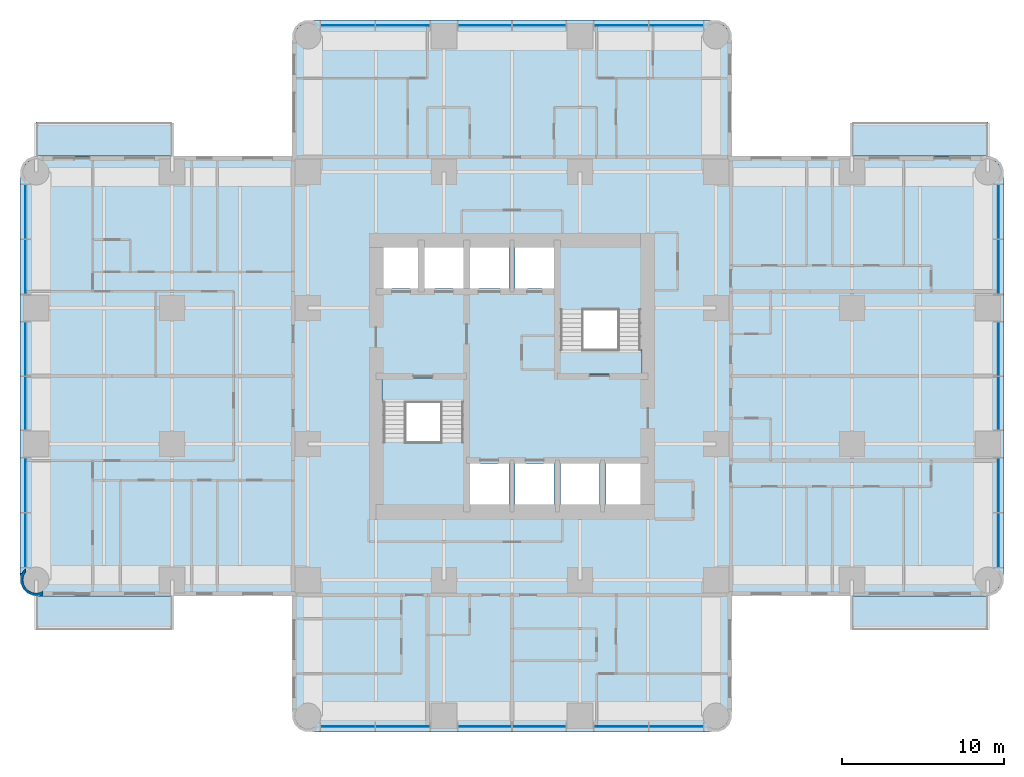
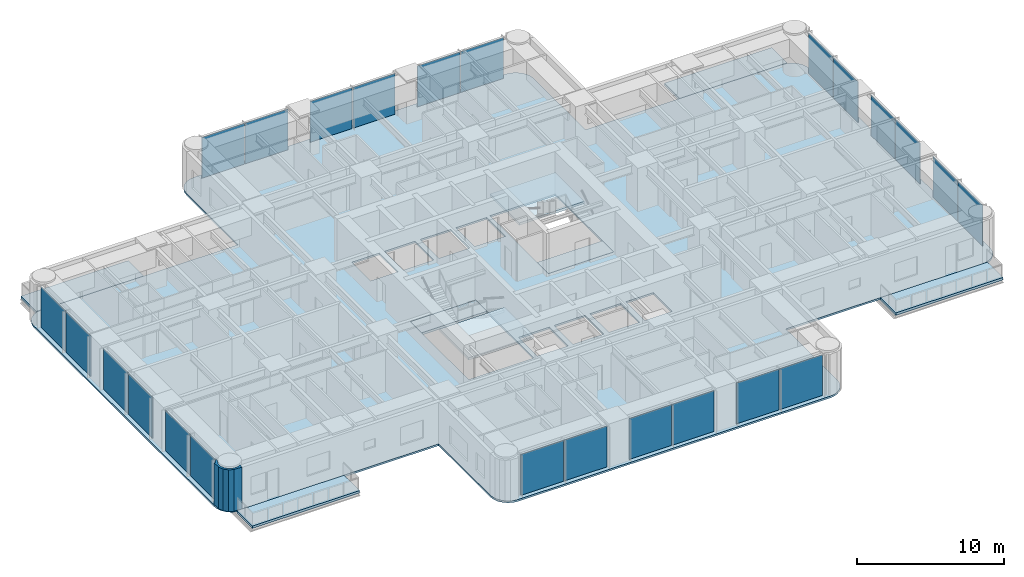
# One storey, part 5 of 14: 24 plates, 9 slabs, 1 wall, 6 elements without a shape of their own.
"""IFC4 building model written with IfcOpenShell, lengths in metres."""

from ifc_helpers import new_model, si_unit, direction, frame, origin, origin_2d, place, context, subcontext, project, spatial, polyline, rectangle, outline, extrude, material, layer, layer_set, type_object, element, aggregate, save


model = new_model("IFC4")

# Units and contexts
model_context = context("Model", 3, precision=1e-05, world=origin(), true_north=direction((0.0, 1.0)))
body_context = subcontext(model_context, "Body", "Model", "MODEL_VIEW")
ifc_project = project(units=[si_unit("LENGTHUNIT", "METRE"), si_unit("AREAUNIT", "SQUARE_METRE"), si_unit("VOLUMEUNIT", "CUBIC_METRE"), si_unit("PLANEANGLEUNIT", "RADIAN"), si_unit("MASSUNIT", "GRAM", prefix="KILO")], contexts=[model_context])

# Site, building, storey
site_placement = place(None, origin())
site = spatial("IfcSite", under=ifc_project, at=site_placement, CompositionType="ELEMENT")
building_placement = place(site_placement, origin())
building = spatial("IfcBuilding", under=site, at=building_placement, Name="Torre Alcanfor", CompositionType="ELEMENT")
storey_placement = place(building_placement, frame((0.0, 0.0, 166.5)))
storey = spatial("IfcBuildingStorey", under=building, at=storey_placement, Name="L43", CompositionType="ELEMENT", Elevation=166.5)

# Slabs
ifc_material_1 = material(Name="Concrete f'c 35 MPa", Category="concrete")
ifc_layer_1 = layer(ifc_material_1, 0.199951171875)
ifc_layer_set_1 = layer_set([ifc_layer_1], Name="Balcony slab 200")
slab_type_1 = type_object("IfcSlabType", Name="Balcony slab 200", PredefinedType="FLOOR", material=ifc_layer_set_1)
slab_1_placement = place(storey_placement, frame((0.0, 0.0, -0.199951171875)))
element("IfcSlab", 1, at=slab_1_placement, inside=storey, type_object=slab_type_1, Name="Balcony L43-E1", PredefinedType="FLOOR", context=body_context, shape_type="SweptSolid", body=[
    extrude(outline(polyline([(50.39990234375, 43.0), (58.800048828125, 43.0), (58.800048828125, 45.10009765625), (50.39990234375, 45.10009765625), (50.39990234375, 43.0)])), origin(), (0.0, 0.0, 1.0), 0.199951171875),
])
slab_2_placement = place(storey_placement, frame((0.0, 0.0, -0.199951171875)))
element("IfcSlab", 2, at=slab_2_placement, inside=storey, type_object=slab_type_1, Name="Balcony L43-E2", PredefinedType="FLOOR", context=body_context, shape_type="SweptSolid", body=[
    extrude(outline(polyline([(50.39990234375, 13.699951171875), (58.800048828125, 13.699951171875), (58.800048828125, 15.800048828125), (50.39990234375, 15.800048828125), (50.39990234375, 13.699951171875)])), origin(), (0.0, 0.0, 1.0), 0.199951171875),
])
slab_3_placement = place(storey_placement, frame((0.0, 0.0, -0.199951171875)))
element("IfcSlab", 3, at=slab_3_placement, inside=storey, type_object=slab_type_1, Name="Balcony L43-W1", PredefinedType="FLOOR", context=body_context, shape_type="SweptSolid", body=[
    extrude(outline(polyline([(8.39990234375, 15.800048828125), (0.0, 15.800048828125), (0.0, 13.699951171875), (8.39990234375, 13.699951171875), (8.39990234375, 15.800048828125)])), origin(), (0.0, 0.0, 1.0), 0.199951171875),
])
slab_4_placement = place(storey_placement, frame((0.0, 0.0, -0.199951171875)))
element("IfcSlab", 4, at=slab_4_placement, inside=storey, type_object=slab_type_1, Name="Balcony L43-W2", PredefinedType="FLOOR", context=body_context, shape_type="SweptSolid", body=[
    extrude(outline(polyline([(8.39990234375, 45.10009765625), (0.0, 45.10009765625), (0.0, 43.0), (8.39990234375, 43.0), (8.39990234375, 45.10009765625)])), origin(), (0.0, 0.0, 1.0), 0.199951171875),
])

# Curtain wall, plates
ifc_material_2 = material(Name="Aluminium and glass", Category="aluminium")
curtain_wall_type = type_object("IfcCurtainWallType", Name="CW-A unitised apartment glazing with vertical FIN", PredefinedType="NOTDEFINED", material=ifc_material_2)
curtain_wall_1_placement = place(storey_placement, origin())
curtain_wall_1 = element("IfcCurtainWall", 5, at=curtain_wall_1_placement, inside=storey, type_object=curtain_wall_type, Name="Curtain wall CW-A L43 2", PredefinedType="NOTDEFINED")
ifc_material_3 = material(Name="Glass", Category="glass")
ifc_layer_2 = layer(ifc_material_3, 0.028076171875)
ifc_layer_set_2 = layer_set([ifc_layer_2], Name="CW-A clear double glazed unit")
plate_type = type_object("IfcPlateType", Name="CW-A clear double glazed unit", PredefinedType="CURTAIN_PANEL", material=ifc_layer_set_2)
plate_1_placement = place(storey_placement, frame((-0.64990234375, 39.541259765625, 0.0), z_axis=(0.0, 0.0, 1.0), x_axis=(0.0, -1.0, 0.0)))
plate_1 = element("IfcPlate", 6, at=plate_1_placement, type_object=plate_type, Name="CW-A panel 1.1.1", PredefinedType="CURTAIN_PANEL", context=body_context, shape_type="SweptSolid", body=[
    extrude(rectangle(XDim=3.337646484375, YDim=0.028076171875, at=origin_2d()), origin(), (0.0, 0.0, 1.0), 3.385009765625),
])
plate_2_placement = place(storey_placement, frame((-0.64990234375, 36.138671875, 0.0), z_axis=(0.0, 0.0, 1.0), x_axis=(0.0, -1.0, 0.0)))
plate_2 = element("IfcPlate", 7, at=plate_2_placement, type_object=plate_type, Name="CW-A panel 1.2.1", PredefinedType="CURTAIN_PANEL", context=body_context, shape_type="SweptSolid", body=[
    extrude(rectangle(XDim=3.337646484375, YDim=0.028076171875, at=origin_2d()), origin(), (0.0, 0.0, 1.0), 3.385009765625),
])
plate_3_placement = place(storey_placement, frame((-0.64990234375, 31.081298828125, 0.0), z_axis=(0.0, 0.0, 1.0), x_axis=(0.0, -1.0, 0.0)))
plate_3 = element("IfcPlate", 8, at=plate_3_placement, type_object=plate_type, Name="CW-A panel 2.1.1", PredefinedType="CURTAIN_PANEL", context=body_context, shape_type="SweptSolid", body=[
    extrude(rectangle(XDim=3.297607421875, YDim=0.028076171875, at=origin_2d()), origin(), (0.0, 0.0, 1.0), 3.385009765625),
])
plate_4_placement = place(storey_placement, frame((-0.64990234375, 27.71875, 0.0), z_axis=(0.0, 0.0, 1.0), x_axis=(0.0, -1.0, 0.0)))
plate_4 = element("IfcPlate", 9, at=plate_4_placement, type_object=plate_type, Name="CW-A panel 2.2.1", PredefinedType="CURTAIN_PANEL", context=body_context, shape_type="SweptSolid", body=[
    extrude(rectangle(XDim=3.297607421875, YDim=0.028076171875, at=origin_2d()), origin(), (0.0, 0.0, 1.0), 3.385009765625),
])
plate_5_placement = place(storey_placement, frame((-0.64990234375, 22.6611328125, 0.0), z_axis=(0.0, 0.0, 1.0), x_axis=(0.0, -1.0, 0.0)))
plate_5 = element("IfcPlate", 10, at=plate_5_placement, type_object=plate_type, Name="CW-A panel 3.1.1", PredefinedType="CURTAIN_PANEL", context=body_context, shape_type="SweptSolid", body=[
    extrude(rectangle(XDim=3.337646484375, YDim=0.028076171875, at=origin_2d()), origin(), (0.0, 0.0, 1.0), 3.385009765625),
])
plate_6_placement = place(storey_placement, frame((-0.64990234375, 19.2587890625, 0.0), z_axis=(0.0, 0.0, 1.0), x_axis=(0.0, -1.0, 0.0)))
plate_6 = element("IfcPlate", 11, at=plate_6_placement, type_object=plate_type, Name="CW-A panel 3.2.1", PredefinedType="CURTAIN_PANEL", context=body_context, shape_type="SweptSolid", body=[
    extrude(rectangle(XDim=3.337646484375, YDim=0.028076171875, at=origin_2d()), origin(), (0.0, 0.0, 1.0), 3.385009765625),
])
aggregate(curtain_wall_1, [plate_1, plate_2, plate_3, plate_4, plate_5, plate_6])

curtain_wall_2_placement = place(storey_placement, origin())
curtain_wall_2 = element("IfcCurtainWall", 12, at=curtain_wall_2_placement, inside=storey, type_object=curtain_wall_type, Name="Curtain wall CW-A L43 5", PredefinedType="NOTDEFINED")
plate_7_placement = place(storey_placement, frame((19.2587890625, 7.75, 0.0), z_axis=(0.0, 0.0, 1.0), x_axis=(1.0, 0.0, 0.0)))
plate_7 = element("IfcPlate", 13, at=plate_7_placement, type_object=plate_type, Name="CW-A panel 1.1.1", PredefinedType="CURTAIN_PANEL", context=body_context, shape_type="SweptSolid", body=[
    extrude(rectangle(XDim=3.337646484375, YDim=0.028076171875, at=origin_2d()), origin(), (0.0, 0.0, 1.0), 3.385009765625),
])
plate_8_placement = place(storey_placement, frame((22.6611328125, 7.75, 0.0), z_axis=(0.0, 0.0, 1.0), x_axis=(1.0, 0.0, 0.0)))
plate_8 = element("IfcPlate", 14, at=plate_8_placement, type_object=plate_type, Name="CW-A panel 1.2.1", PredefinedType="CURTAIN_PANEL", context=body_context, shape_type="SweptSolid", body=[
    extrude(rectangle(XDim=3.337646484375, YDim=0.028076171875, at=origin_2d()), origin(), (0.0, 0.0, 1.0), 3.385009765625),
])
plate_9_placement = place(storey_placement, frame((27.71875, 7.75, 0.0), z_axis=(0.0, 0.0, 1.0), x_axis=(1.0, 0.0, 0.0)))
plate_9 = element("IfcPlate", 15, at=plate_9_placement, type_object=plate_type, Name="CW-A panel 2.1.1", PredefinedType="CURTAIN_PANEL", context=body_context, shape_type="SweptSolid", body=[
    extrude(rectangle(XDim=3.297607421875, YDim=0.028076171875, at=origin_2d()), origin(), (0.0, 0.0, 1.0), 3.385009765625),
])
plate_10_placement = place(storey_placement, frame((31.081298828125, 7.75, 0.0), z_axis=(0.0, 0.0, 1.0), x_axis=(1.0, 0.0, 0.0)))
plate_10 = element("IfcPlate", 16, at=plate_10_placement, type_object=plate_type, Name="CW-A panel 2.2.1", PredefinedType="CURTAIN_PANEL", context=body_context, shape_type="SweptSolid", body=[
    extrude(rectangle(XDim=3.297607421875, YDim=0.028076171875, at=origin_2d()), origin(), (0.0, 0.0, 1.0), 3.385009765625),
])
plate_11_placement = place(storey_placement, frame((36.138671875, 7.75, 0.0), z_axis=(0.0, 0.0, 1.0), x_axis=(1.0, 0.0, 0.0)))
plate_11 = element("IfcPlate", 17, at=plate_11_placement, type_object=plate_type, Name="CW-A panel 3.1.1", PredefinedType="CURTAIN_PANEL", context=body_context, shape_type="SweptSolid", body=[
    extrude(rectangle(XDim=3.337646484375, YDim=0.028076171875, at=origin_2d()), origin(), (0.0, 0.0, 1.0), 3.385009765625),
])
plate_12_placement = place(storey_placement, frame((39.541259765625, 7.75, 0.0), z_axis=(0.0, 0.0, 1.0), x_axis=(1.0, 0.0, 0.0)))
plate_12 = element("IfcPlate", 18, at=plate_12_placement, type_object=plate_type, Name="CW-A panel 3.2.1", PredefinedType="CURTAIN_PANEL", context=body_context, shape_type="SweptSolid", body=[
    extrude(rectangle(XDim=3.337646484375, YDim=0.028076171875, at=origin_2d()), origin(), (0.0, 0.0, 1.0), 3.385009765625),
])
aggregate(curtain_wall_2, [plate_7, plate_8, plate_9, plate_10, plate_11, plate_12])

curtain_wall_3_placement = place(storey_placement, origin())
curtain_wall_3 = element("IfcCurtainWall", 19, at=curtain_wall_3_placement, inside=storey, type_object=curtain_wall_type, Name="Curtain wall CW-A L43 8", PredefinedType="NOTDEFINED")
plate_13_placement = place(storey_placement, frame((59.449951171875, 19.2587890625, 0.0), z_axis=(0.0, 0.0, 1.0), x_axis=(0.0, 1.0, 0.0)))
plate_13 = element("IfcPlate", 20, at=plate_13_placement, type_object=plate_type, Name="CW-A panel 1.1.1", PredefinedType="CURTAIN_PANEL", context=body_context, shape_type="SweptSolid", body=[
    extrude(rectangle(XDim=3.337646484375, YDim=0.028076171875, at=origin_2d()), origin(), (0.0, 0.0, 1.0), 3.385009765625),
])
plate_14_placement = place(storey_placement, frame((59.449951171875, 22.6611328125, 0.0), z_axis=(0.0, 0.0, 1.0), x_axis=(0.0, 1.0, 0.0)))
plate_14 = element("IfcPlate", 21, at=plate_14_placement, type_object=plate_type, Name="CW-A panel 1.2.1", PredefinedType="CURTAIN_PANEL", context=body_context, shape_type="SweptSolid", body=[
    extrude(rectangle(XDim=3.337646484375, YDim=0.028076171875, at=origin_2d()), origin(), (0.0, 0.0, 1.0), 3.385009765625),
])
plate_15_placement = place(storey_placement, frame((59.449951171875, 27.71875, 0.0), z_axis=(0.0, 0.0, 1.0), x_axis=(0.0, 1.0, 0.0)))
plate_15 = element("IfcPlate", 22, at=plate_15_placement, type_object=plate_type, Name="CW-A panel 2.1.1", PredefinedType="CURTAIN_PANEL", context=body_context, shape_type="SweptSolid", body=[
    extrude(rectangle(XDim=3.297607421875, YDim=0.028076171875, at=origin_2d()), origin(), (0.0, 0.0, 1.0), 3.385009765625),
])
plate_16_placement = place(storey_placement, frame((59.449951171875, 31.081298828125, 0.0), z_axis=(0.0, 0.0, 1.0), x_axis=(0.0, 1.0, 0.0)))
plate_16 = element("IfcPlate", 23, at=plate_16_placement, type_object=plate_type, Name="CW-A panel 2.2.1", PredefinedType="CURTAIN_PANEL", context=body_context, shape_type="SweptSolid", body=[
    extrude(rectangle(XDim=3.297607421875, YDim=0.028076171875, at=origin_2d()), origin(), (0.0, 0.0, 1.0), 3.385009765625),
])
plate_17_placement = place(storey_placement, frame((59.449951171875, 36.138671875, 0.0), z_axis=(0.0, 0.0, 1.0), x_axis=(0.0, 1.0, 0.0)))
plate_17 = element("IfcPlate", 24, at=plate_17_placement, type_object=plate_type, Name="CW-A panel 3.1.1", PredefinedType="CURTAIN_PANEL", context=body_context, shape_type="SweptSolid", body=[
    extrude(rectangle(XDim=3.337646484375, YDim=0.028076171875, at=origin_2d()), origin(), (0.0, 0.0, 1.0), 3.385009765625),
])
plate_18_placement = place(storey_placement, frame((59.449951171875, 39.541259765625, 0.0), z_axis=(0.0, 0.0, 1.0), x_axis=(0.0, 1.0, 0.0)))
plate_18 = element("IfcPlate", 25, at=plate_18_placement, type_object=plate_type, Name="CW-A panel 3.2.1", PredefinedType="CURTAIN_PANEL", context=body_context, shape_type="SweptSolid", body=[
    extrude(rectangle(XDim=3.337646484375, YDim=0.028076171875, at=origin_2d()), origin(), (0.0, 0.0, 1.0), 3.385009765625),
])
aggregate(curtain_wall_3, [plate_13, plate_14, plate_15, plate_16, plate_17, plate_18])

curtain_wall_4_placement = place(storey_placement, origin())
curtain_wall_4 = element("IfcCurtainWall", 26, at=curtain_wall_4_placement, inside=storey, type_object=curtain_wall_type, Name="Curtain wall CW-A L43 11", PredefinedType="NOTDEFINED")
plate_19_placement = place(storey_placement, frame((39.541259765625, 51.050048828125, 0.0), z_axis=(0.0, 0.0, 1.0), x_axis=(-1.0, 0.0, 0.0)))
plate_19 = element("IfcPlate", 27, at=plate_19_placement, type_object=plate_type, Name="CW-A panel 1.1.1", PredefinedType="CURTAIN_PANEL", context=body_context, shape_type="SweptSolid", body=[
    extrude(rectangle(XDim=3.337646484375, YDim=0.028076171875, at=origin_2d()), origin(), (0.0, 0.0, 1.0), 3.385009765625),
])
plate_20_placement = place(storey_placement, frame((36.138671875, 51.050048828125, 0.0), z_axis=(0.0, 0.0, 1.0), x_axis=(-1.0, 0.0, 0.0)))
plate_20 = element("IfcPlate", 28, at=plate_20_placement, type_object=plate_type, Name="CW-A panel 1.2.1", PredefinedType="CURTAIN_PANEL", context=body_context, shape_type="SweptSolid", body=[
    extrude(rectangle(XDim=3.337646484375, YDim=0.028076171875, at=origin_2d()), origin(), (0.0, 0.0, 1.0), 3.385009765625),
])
plate_21_placement = place(storey_placement, frame((31.081298828125, 51.050048828125, 0.0), z_axis=(0.0, 0.0, 1.0), x_axis=(-1.0, 0.0, 0.0)))
plate_21 = element("IfcPlate", 29, at=plate_21_placement, type_object=plate_type, Name="CW-A panel 2.1.1", PredefinedType="CURTAIN_PANEL", context=body_context, shape_type="SweptSolid", body=[
    extrude(rectangle(XDim=3.297607421875, YDim=0.028076171875, at=origin_2d()), origin(), (0.0, 0.0, 1.0), 3.385009765625),
])
plate_22_placement = place(storey_placement, frame((27.71875, 51.050048828125, 0.0), z_axis=(0.0, 0.0, 1.0), x_axis=(-1.0, 0.0, 0.0)))
plate_22 = element("IfcPlate", 30, at=plate_22_placement, type_object=plate_type, Name="CW-A panel 2.2.1", PredefinedType="CURTAIN_PANEL", context=body_context, shape_type="SweptSolid", body=[
    extrude(rectangle(XDim=3.297607421875, YDim=0.028076171875, at=origin_2d()), origin(), (0.0, 0.0, 1.0), 3.385009765625),
])
plate_23_placement = place(storey_placement, frame((22.6611328125, 51.050048828125, 0.0), z_axis=(0.0, 0.0, 1.0), x_axis=(-1.0, 0.0, 0.0)))
plate_23 = element("IfcPlate", 31, at=plate_23_placement, type_object=plate_type, Name="CW-A panel 3.1.1", PredefinedType="CURTAIN_PANEL", context=body_context, shape_type="SweptSolid", body=[
    extrude(rectangle(XDim=3.337646484375, YDim=0.028076171875, at=origin_2d()), origin(), (0.0, 0.0, 1.0), 3.385009765625),
])
plate_24_placement = place(storey_placement, frame((19.2587890625, 51.050048828125, 0.0), z_axis=(0.0, 0.0, 1.0), x_axis=(-1.0, 0.0, 0.0)))
plate_24 = element("IfcPlate", 32, at=plate_24_placement, type_object=plate_type, Name="CW-A panel 3.2.1", PredefinedType="CURTAIN_PANEL", context=body_context, shape_type="SweptSolid", body=[
    extrude(rectangle(XDim=3.337646484375, YDim=0.028076171875, at=origin_2d()), origin(), (0.0, 0.0, 1.0), 3.385009765625),
])
aggregate(curtain_wall_4, [plate_19, plate_20, plate_21, plate_22, plate_23, plate_24])

# Slab
ifc_material_4 = material(Name="Concrete f'c 35 MPa", Category="concrete")
ifc_layer_3 = layer(ifc_material_4, 0.14990234375)
ifc_layer_set_3 = layer_set([ifc_layer_3], Name="Composite floor 150 on metal deck")
slab_type_2 = type_object("IfcSlabType", Name="Composite floor 150 on metal deck", PredefinedType="FLOOR", material=ifc_layer_set_3)
slab_5_placement = place(storey_placement, frame((0.0, 0.0, -0.14990234375)))
element("IfcSlab", 33, at=slab_5_placement, inside=storey, type_object=slab_type_2, Name="Floor slab L43", PredefinedType="FLOOR", context=body_context, shape_type="SweptSolid", body=[
    extrude(outline(polyline([(15.800048828125, 43.0), (0.39990234375, 43.0), (0.03759765625, 42.952392578125), (-0.300048828125, 42.8125), (-0.58984375, 42.58984375), (-0.8125, 42.300048828125), (-0.952392578125, 41.96240234375), (-1.0, 41.60009765625), (-1.0, 17.199951171875), (-0.952392578125, 16.837646484375), (-0.8125, 16.5), (-0.58984375, 16.210205078125), (-0.300048828125, 15.987548828125), (0.03759765625, 15.84765625), (0.39990234375, 15.800048828125), (15.800048828125, 15.800048828125), (15.800048828125, 8.800048828125), (15.84765625, 8.437744140625), (15.987548828125, 8.10009765625), (16.210205078125, 7.81005859375), (16.5, 7.587646484375), (16.837646484375, 7.44775390625), (17.199951171875, 7.39990234375), (41.60009765625, 7.39990234375), (41.96240234375, 7.44775390625), (42.300048828125, 7.587646484375), (42.58984375, 7.81005859375), (42.8125, 8.10009765625), (42.952392578125, 8.437744140625), (43.0, 8.800048828125), (43.0, 15.800048828125), (58.39990234375, 15.800048828125), (58.76220703125, 15.84765625), (59.10009765625, 15.987548828125), (59.389892578125, 16.210205078125), (59.6123046875, 16.5), (59.752197265625, 16.837646484375), (59.800048828125, 17.199951171875), (59.800048828125, 41.60009765625), (59.752197265625, 41.96240234375), (59.6123046875, 42.300048828125), (59.389892578125, 42.58984375), (59.10009765625, 42.8125), (58.76220703125, 42.952392578125), (58.39990234375, 43.0), (43.0, 43.0), (43.0, 50.0), (42.952392578125, 50.3623046875), (42.8125, 50.699951171875), (42.58984375, 50.989990234375), (42.300048828125, 51.21240234375), (41.96240234375, 51.352294921875), (41.60009765625, 51.39990234375), (17.199951171875, 51.39990234375), (16.837646484375, 51.352294921875), (16.5, 51.21240234375), (16.210205078125, 50.989990234375), (15.987548828125, 50.699951171875), (15.84765625, 50.3623046875), (15.800048828125, 50.0), (15.800048828125, 43.0)]), holes=[polyline([(21.3701171875, 21.3701171875), (26.47998046875, 21.3701171875), (26.47998046875, 29.280029296875), (21.3701171875, 29.280029296875), (21.3701171875, 21.3701171875)]), polyline([(32.320068359375, 29.52001953125), (37.429931640625, 29.52001953125), (37.429931640625, 37.429931640625), (32.320068359375, 37.429931640625), (32.320068359375, 29.52001953125)]), polyline([(26.800048828125, 21.449951171875), (29.199951171875, 21.449951171875), (29.199951171875, 24.0), (26.800048828125, 24.0), (26.800048828125, 21.449951171875)]), polyline([(29.60009765625, 21.449951171875), (32.0, 21.449951171875), (32.0, 24.0), (29.60009765625, 24.0), (29.60009765625, 21.449951171875)]), polyline([(32.39990234375, 21.449951171875), (34.800048828125, 21.449951171875), (34.800048828125, 24.0), (32.39990234375, 24.0), (32.39990234375, 21.449951171875)]), polyline([(35.199951171875, 21.449951171875), (37.35009765625, 21.449951171875), (37.35009765625, 24.0), (35.199951171875, 24.0), (35.199951171875, 21.449951171875)]), polyline([(21.449951171875, 34.800048828125), (23.60009765625, 34.800048828125), (23.60009765625, 37.35009765625), (21.449951171875, 37.35009765625), (21.449951171875, 34.800048828125)]), polyline([(24.0, 34.800048828125), (26.39990234375, 34.800048828125), (26.39990234375, 37.35009765625), (24.0, 37.35009765625), (24.0, 34.800048828125)]), polyline([(26.800048828125, 34.800048828125), (29.199951171875, 34.800048828125), (29.199951171875, 37.35009765625), (26.800048828125, 37.35009765625), (26.800048828125, 34.800048828125)]), polyline([(29.60009765625, 34.800048828125), (32.0, 34.800048828125), (32.0, 37.35009765625), (29.60009765625, 37.35009765625), (29.60009765625, 34.800048828125)])]), origin(), (0.0, 0.0, 1.0), 0.14990234375),
])

# Stair, slabs
ifc_material_5 = material(Name="Concrete f'c 35 MPa", Category="concrete")
stair_type_1 = type_object("IfcStairType", Name="Exit stair S1 1400 wide", PredefinedType="HALF_TURN_STAIR", material=ifc_material_5)
stair_1_placement = place(storey_placement, origin())
stair_1 = element("IfcStair", 34, at=stair_1_placement, inside=storey, type_object=stair_type_1, Name="Stair S1 L43 to L44", PredefinedType="HALF_TURN_STAIR")
ifc_material_6 = material(Name="Concrete f'c 35 MPa", Category="concrete")
ifc_layer_4 = layer(ifc_material_6, 0.199951171875)
ifc_layer_set_4 = layer_set([ifc_layer_4], Name="Stair landing 200")
slab_type_3 = type_object("IfcSlabType", Name="Stair landing 200", PredefinedType="LANDING", material=ifc_layer_set_4)
slab_6_placement = place(storey_placement, frame((0.0, 0.0, -0.199951171875)))
slab_6 = element("IfcSlab", 35, at=slab_6_placement, type_object=slab_type_3, Name="S1 landing 1", PredefinedType="LANDING", context=body_context, shape_type="SweptSolid", body=[
    extrude(outline(polyline([(21.3701171875, 27.75), (26.47998046875, 27.75), (26.47998046875, 29.280029296875), (21.3701171875, 29.280029296875), (21.3701171875, 27.75)])), origin(), (0.0, 0.0, 1.0), 0.199951171875),
])
slab_7_placement = place(storey_placement, frame((0.0, 0.0, 1.60009765625)))
slab_7 = element("IfcSlab", 36, at=slab_7_placement, type_object=slab_type_3, Name="S1 landing 2", PredefinedType="LANDING", context=body_context, shape_type="SweptSolid", body=[
    extrude(outline(polyline([(21.3701171875, 21.3701171875), (26.47998046875, 21.3701171875), (26.47998046875, 25.330078125), (21.3701171875, 25.330078125), (21.3701171875, 21.3701171875)])), origin(), (0.0, 0.0, 1.0), 0.199951171875),
])
aggregate(stair_1, [slab_6, slab_7])

ifc_material_7 = material(Name="Concrete f'c 35 MPa", Category="concrete")
stair_type_2 = type_object("IfcStairType", Name="Exit stair S2 1400 wide", PredefinedType="HALF_TURN_STAIR", material=ifc_material_7)
stair_2_placement = place(storey_placement, origin())
stair_2 = element("IfcStair", 37, at=stair_2_placement, inside=storey, type_object=stair_type_2, Name="Stair S2 L43 to L44", PredefinedType="HALF_TURN_STAIR")
slab_8_placement = place(storey_placement, frame((0.0, 0.0, -0.199951171875)))
slab_8 = element("IfcSlab", 38, at=slab_8_placement, type_object=slab_type_3, Name="S2 landing 1", PredefinedType="LANDING", context=body_context, shape_type="SweptSolid", body=[
    extrude(outline(polyline([(32.320068359375, 29.52001953125), (37.429931640625, 29.52001953125), (37.429931640625, 31.050048828125), (32.320068359375, 31.050048828125), (32.320068359375, 29.52001953125)])), origin(), (0.0, 0.0, 1.0), 0.199951171875),
])
slab_9_placement = place(storey_placement, frame((0.0, 0.0, 1.60009765625)))
slab_9 = element("IfcSlab", 39, at=slab_9_placement, type_object=slab_type_3, Name="S2 landing 2", PredefinedType="LANDING", context=body_context, shape_type="SweptSolid", body=[
    extrude(outline(polyline([(32.320068359375, 33.469970703125), (37.429931640625, 33.469970703125), (37.429931640625, 37.429931640625), (32.320068359375, 37.429931640625), (32.320068359375, 33.469970703125)])), origin(), (0.0, 0.0, 1.0), 0.199951171875),
])
aggregate(stair_2, [slab_8, slab_9])

# Wall
ifc_material_8 = material(Name="Limestone cladding", Category="masonry")
ifc_layer_5 = layer(ifc_material_8, 0.0400390625, Name="Facing")
ifc_material_9 = material(Name="Ventilated air cavity")
ifc_layer_6 = layer(ifc_material_9, 0.02001953125, ventilated=True, Name="Ventilated joint")
ifc_material_10 = material(Name="Mineral wool insulation", Category="insulation")
ifc_layer_7 = layer(ifc_material_10, 0.10009765625, Name="Insulation")
ifc_material_11 = material(Name="Concrete f'c 35 MPa", Category="concrete")
ifc_layer_8 = layer(ifc_material_11, 0.139892578125, Name="Backing")
ifc_layer_set_5 = layer_set([ifc_layer_5, ifc_layer_6, ifc_layer_7, ifc_layer_8], Name="Rounded corner pier stone-clad 300")
wall_type = type_object("IfcWallType", Name="Rounded corner pier stone-clad 300", PredefinedType="SOLIDWALL", material=ifc_layer_set_5)
wall_placement = place(storey_placement, frame((-0.595317512, 17.448071802, 0.0), z_axis=(0.0, 0.0, 1.0), x_axis=(-0.93923434088, -0.343276641956, 0.0)))
element("IfcWall", 40, at=wall_placement, inside=storey, type_object=wall_type, Name="Corner pier L43 14", PredefinedType="SOLIDWALL", context=body_context, shape_type="SweptSolid", body=[
    extrude(outline(polyline([(-0.36901687290747565, 1.8895155017116005), (-0.5091640790076659, 1.6212761977701722), (-0.4905903530283585, 1.6144877680830545), (-0.47948243923657013, 1.6086084348003613), (-0.21122522327048593, 1.6199972505432854), (0.08778883447046232, 1.5107119133580826), (0.3225108976454373, 1.2952164137736593), (0.4570343816413681, 1.0061292766156664), (0.470385530542732, 0.6877670550734887), (0.36101638558361415, 0.38852369207353665), (0.14552088599919094, 0.15380162889856172), (0.10803112982284666, 0.13657123594691412), (0.030844170047101382, -0.07461890759558078), (0.24094301513563465, 0.023009904898978376), (0.3335722649355225, 0.12354205241220817), (0.46526570659148436, 0.09412537095504334), (0.5319165148651629, 0.3931255880778293), (0.6305582647631567, 0.6630178779252955), (0.6143066479271062, 1.0445648337608835), (0.4533864294189357, 1.390867848169107), (0.172157378959642, 1.6490946263605986), (-0.09750560562882049, 1.747652568484677), (-0.36901687290747565, 1.8895155017116005)])), origin(), (0.0, 0.0, 1.0), 3.449951171875),
])

save(model, "model.ifc")
